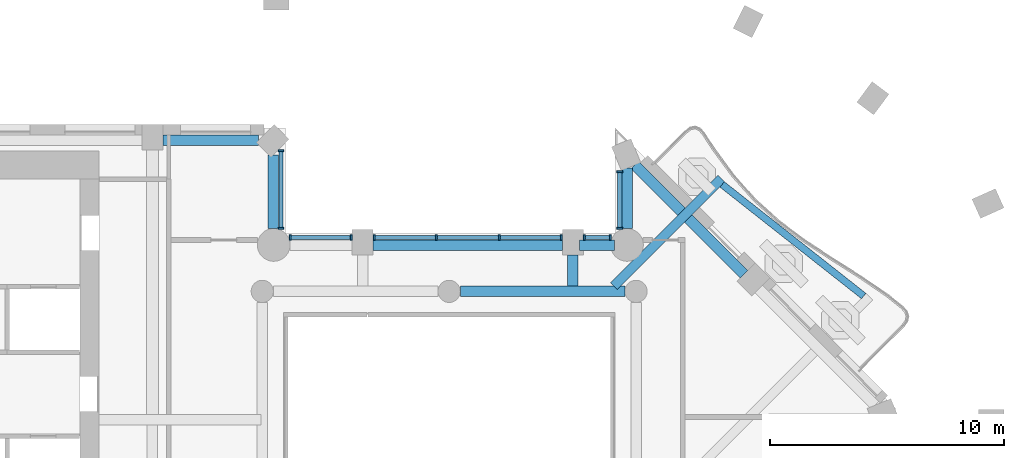
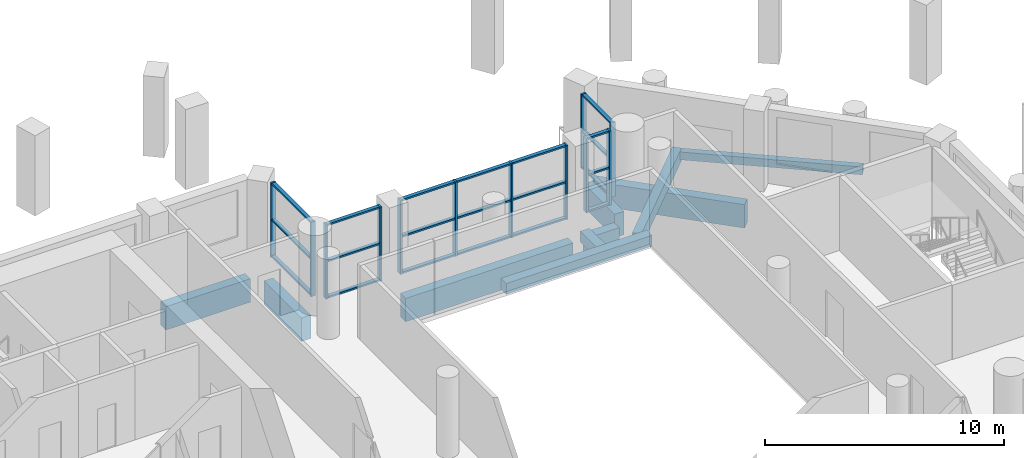
# One storey, part 2 of 16: 33 members, 10 beams, 5 elements without a shape of their own.
"""IFC4 building model written with IfcOpenShell, lengths in metres."""

from ifc_helpers import new_model, si_unit, direction, frame, origin, origin_2d, place, context, subcontext, project, spatial, rectangle, extrude, material, material_profile, profile_set, type_object, element, aggregate, save


model = new_model("IFC4")

# Units and contexts
model_context = context("Model", 3, precision=1e-05, world=origin(), true_north=direction((0.0, 1.0)))
body_context = subcontext(model_context, "Body", "Model", "MODEL_VIEW")
ifc_project = project(units=[si_unit("LENGTHUNIT", "METRE"), si_unit("AREAUNIT", "SQUARE_METRE"), si_unit("VOLUMEUNIT", "CUBIC_METRE"), si_unit("PLANEANGLEUNIT", "RADIAN"), si_unit("MASSUNIT", "GRAM", prefix="KILO")], contexts=[model_context])

# Site, building, storey
site_placement = place(None, origin())
site = spatial("IfcSite", under=ifc_project, at=site_placement, CompositionType="ELEMENT")
building_placement = place(site_placement, origin())
building = spatial("IfcBuilding", under=site, at=building_placement, Name="Cypress Arch Tower", CompositionType="ELEMENT")
storey_placement = place(building_placement, frame((0.0, 0.0, 172.800048828125)))
storey = spatial("IfcBuildingStorey", under=building, at=storey_placement, Name="L37", CompositionType="ELEMENT", Elevation=172.800048828125)

# Beams
ifc_material_1 = material(Name="Concrete C50/60", Category="concrete")
ifc_material_profile_1 = material_profile(ifc_material_1, rectangle(XDim=0.300048828125, YDim=0.39990234375, at=origin_2d()), Name="RC 300x400")
ifc_profile_set_1 = profile_set([ifc_material_profile_1], Name="Concrete C50/60")
beam_type_1 = type_object("IfcBeamType", Name="Balcony edge beam RC 300x400 Concrete C50/60", PredefinedType="BEAM", material=ifc_profile_set_1)
beam_1_placement = place(storey_placement, frame((18.74365234375, 9.80224609375, -0.5), z_axis=(-0.785435727241, 0.6189432271, 0.0), x_axis=(-0.6189432271, -0.785435727241, 0.0)))
element("IfcBeam", 1, at=beam_1_placement, inside=storey, type_object=beam_type_1, Name="Balcony edge beam L37 B05", PredefinedType="BEAM", context=body_context, shape_type="SweptSolid", body=[
    extrude(rectangle(XDim=0.300048828125, YDim=0.39990234375, at=origin_2d()), origin(), (0.0, 0.0, 1.0), 7.714599609375),
])
ifc_material_2 = material(Name="Concrete C50/60", Category="concrete")
ifc_material_profile_2 = material_profile(ifc_material_2, rectangle(XDim=0.39990234375, YDim=0.64990234375, at=origin_2d()), Name="RC 400x650")
ifc_profile_set_2 = profile_set([ifc_material_profile_2], Name="Concrete C50/60")
beam_type_2 = type_object("IfcBeamType", Name="Cantilever beam RC 400x650 Concrete C50/60", PredefinedType="BEAM", material=ifc_profile_set_2)
beam_2_placement = place(storey_placement, frame((8.04931640625, 10.22509765625, -0.625), z_axis=(0.707106781187, 0.707106781187, 0.0), x_axis=(-0.707106781187, 0.707106781187, 0.0)))
element("IfcBeam", 2, at=beam_2_placement, inside=storey, type_object=beam_type_2, Name="Cantilever beam L37 B05 2", PredefinedType="BEAM", context=body_context, shape_type="SweptSolid", body=[
    extrude(rectangle(XDim=0.39990234375, YDim=0.64990234375, at=origin_2d()), origin(), (0.0, 0.0, 1.0), 6.5048828125),
])
ifc_material_3 = material(Name="Concrete C50/60", Category="concrete")
ifc_material_profile_3 = material_profile(ifc_material_3, rectangle(XDim=0.449951171875, YDim=0.550048828125, at=origin_2d()), Name="RC 450x550")
ifc_profile_set_3 = profile_set([ifc_material_profile_3], Name="Concrete C50/60")
beam_type_3 = type_object("IfcBeamType", Name="Floor beam RC 450x550 Concrete C50/60", PredefinedType="BEAM", material=ifc_profile_set_3)
beam_3_placement = place(storey_placement, frame((1.47509765625, 10.0, -0.574951171875), z_axis=(1.0, 0.0, 0.0), x_axis=(0.0, 1.0, 0.0)))
element("IfcBeam", 3, at=beam_3_placement, inside=storey, type_object=beam_type_3, Name="Floor beam L37 RB008", PredefinedType="BEAM", context=body_context, shape_type="SweptSolid", body=[
    extrude(rectangle(XDim=0.449951171875, YDim=0.550048828125, at=origin_2d()), origin(), (0.0, 0.0, 1.0), 7.0498046875),
])
beam_4_placement = place(storey_placement, frame((6.300048828125, 10.22509765625, -0.574951171875), z_axis=(0.0, 1.0, 0.0), x_axis=(-1.0, 0.0, 0.0)))
element("IfcBeam", 4, at=beam_4_placement, inside=storey, type_object=beam_type_3, Name="Floor beam L37 FB017", PredefinedType="BEAM", context=body_context, shape_type="SweptSolid", body=[
    extrude(rectangle(XDim=0.449951171875, YDim=0.550048828125, at=origin_2d()), origin(), (0.0, 0.0, 1.0), 1.324951171875),
])

# Curtain wall, members
ifc_material_4 = material(Name="Anodised aluminium, bronze finish, clear laminated double glazing", Category="aluminium")
curtain_wall_type = type_object("IfcCurtainWallType", Name="Curtain wall CW7 slot glazing", PredefinedType="NOTDEFINED", material=ifc_material_4)
curtain_wall_1_placement = place(storey_placement, origin())
curtain_wall_1 = element("IfcCurtainWall", 5, at=curtain_wall_1_placement, inside=storey, type_object=curtain_wall_type, Name="Curtain wall L37 slot B06.0", PredefinedType="NOTDEFINED")
ifc_material_5 = material(Name="Anodised aluminium, bronze finish", Category="aluminium")
ifc_material_profile_4 = material_profile(ifc_material_5, rectangle(XDim=0.239990234375, YDim=0.0849609375, at=origin_2d()), Name="Mullion 85x240")
ifc_profile_set_4 = profile_set([ifc_material_profile_4], Name="Anodised aluminium, bronze finish")
member_type_1 = type_object("IfcMemberType", Name="Mullion CW7 85x240", PredefinedType="MULLION", material=ifc_profile_set_4)
member_1_placement = place(storey_placement, frame((8.300048828125, 15.12744140625, 0.0), z_axis=(0.0, 0.0, 1.0), x_axis=(1.0, 0.0, 0.0)))
member_1 = element("IfcMember", 6, at=member_1_placement, type_object=member_type_1, Name="CW7 mullion 1", PredefinedType="MULLION", context=body_context, shape_type="SweptSolid", body=[
    extrude(rectangle(XDim=0.239990234375, YDim=0.0849609375, at=origin_2d()), origin(), (0.0, 0.0, 1.0), 3.800048828125),
])
member_2_placement = place(storey_placement, frame((8.300048828125, 12.697021484375, 0.0), z_axis=(0.0, 0.0, 1.0), x_axis=(1.0, 0.0, 0.0)))
member_2 = element("IfcMember", 7, at=member_2_placement, type_object=member_type_1, Name="CW7 mullion 2", PredefinedType="MULLION", context=body_context, shape_type="SweptSolid", body=[
    extrude(rectangle(XDim=0.239990234375, YDim=0.0849609375, at=origin_2d()), origin(), (0.0, 0.0, 1.0), 3.800048828125),
])

curtain_wall_2_placement = place(storey_placement, origin())
curtain_wall_2 = element("IfcCurtainWall", 8, at=curtain_wall_2_placement, inside=storey, type_object=curtain_wall_type, Name="Curtain wall L37 slot B07.0", PredefinedType="NOTDEFINED")
member_3_placement = place(storey_placement, frame((7.903076171875, 12.300048828125, 0.0), z_axis=(0.0, 0.0, 1.0), x_axis=(0.0, -1.0, 0.0)))
member_3 = element("IfcMember", 9, at=member_3_placement, type_object=member_type_1, Name="CW7 mullion 1", PredefinedType="MULLION", context=body_context, shape_type="SweptSolid", body=[
    extrude(rectangle(XDim=0.239990234375, YDim=0.0849609375, at=origin_2d()), origin(), (0.0, 0.0, 1.0), 3.800048828125),
])
member_4_placement = place(storey_placement, frame((6.79248046875, 12.300048828125, 0.0), z_axis=(0.0, 0.0, 1.0), x_axis=(0.0, -1.0, 0.0)))
member_4 = element("IfcMember", 10, at=member_4_placement, type_object=member_type_1, Name="CW7 mullion 2", PredefinedType="MULLION", context=body_context, shape_type="SweptSolid", body=[
    extrude(rectangle(XDim=0.239990234375, YDim=0.0849609375, at=origin_2d()), origin(), (0.0, 0.0, 1.0), 3.800048828125),
])

curtain_wall_3_placement = place(storey_placement, origin())
curtain_wall_3 = element("IfcCurtainWall", 11, at=curtain_wall_3_placement, inside=storey, type_object=curtain_wall_type, Name="Curtain wall L37 slot B07.1", PredefinedType="NOTDEFINED")
member_5_placement = place(storey_placement, frame((5.8076171875, 12.300048828125, 0.0), z_axis=(0.0, 0.0, 1.0), x_axis=(0.0, -1.0, 0.0)))
member_5 = element("IfcMember", 12, at=member_5_placement, type_object=member_type_1, Name="CW7 mullion 1", PredefinedType="MULLION", context=body_context, shape_type="SweptSolid", body=[
    extrude(rectangle(XDim=0.239990234375, YDim=0.0849609375, at=origin_2d()), origin(), (0.0, 0.0, 1.0), 3.800048828125),
])
member_6_placement = place(storey_placement, frame((3.14990234375, 12.300048828125, 0.0), z_axis=(0.0, 0.0, 1.0), x_axis=(0.0, -1.0, 0.0)))
member_6 = element("IfcMember", 13, at=member_6_placement, type_object=member_type_1, Name="CW7 mullion 2", PredefinedType="MULLION", context=body_context, shape_type="SweptSolid", body=[
    extrude(rectangle(XDim=0.239990234375, YDim=0.0849609375, at=origin_2d()), origin(), (0.0, 0.0, 1.0), 3.800048828125),
])
member_7_placement = place(storey_placement, frame((0.449951171875, 12.300048828125, 0.0), z_axis=(0.0, 0.0, 1.0), x_axis=(0.0, -1.0, 0.0)))
member_7 = element("IfcMember", 14, at=member_7_placement, type_object=member_type_1, Name="CW7 mullion 3", PredefinedType="MULLION", context=body_context, shape_type="SweptSolid", body=[
    extrude(rectangle(XDim=0.239990234375, YDim=0.0849609375, at=origin_2d()), origin(), (0.0, 0.0, 1.0), 3.800048828125),
])
member_8_placement = place(storey_placement, frame((-2.20751953125, 12.300048828125, 0.0), z_axis=(0.0, 0.0, 1.0), x_axis=(0.0, -1.0, 0.0)))
member_8 = element("IfcMember", 15, at=member_8_placement, type_object=member_type_1, Name="CW7 mullion 4", PredefinedType="MULLION", context=body_context, shape_type="SweptSolid", body=[
    extrude(rectangle(XDim=0.239990234375, YDim=0.0849609375, at=origin_2d()), origin(), (0.0, 0.0, 1.0), 3.800048828125),
])

curtain_wall_4_placement = place(storey_placement, origin())
curtain_wall_4 = element("IfcCurtainWall", 16, at=curtain_wall_4_placement, inside=storey, type_object=curtain_wall_type, Name="Curtain wall L37 slot B07.2", PredefinedType="NOTDEFINED")
member_9_placement = place(storey_placement, frame((-3.1923828125, 12.300048828125, 0.0), z_axis=(0.0, 0.0, 1.0), x_axis=(0.0, -1.0, 0.0)))
member_9 = element("IfcMember", 17, at=member_9_placement, type_object=member_type_1, Name="CW7 mullion 1", PredefinedType="MULLION", context=body_context, shape_type="SweptSolid", body=[
    extrude(rectangle(XDim=0.239990234375, YDim=0.0849609375, at=origin_2d()), origin(), (0.0, 0.0, 1.0), 3.800048828125),
])
member_10_placement = place(storey_placement, frame((-5.802978515625, 12.300048828125, 0.0), z_axis=(0.0, 0.0, 1.0), x_axis=(0.0, -1.0, 0.0)))
member_10 = element("IfcMember", 18, at=member_10_placement, type_object=member_type_1, Name="CW7 mullion 2", PredefinedType="MULLION", context=body_context, shape_type="SweptSolid", body=[
    extrude(rectangle(XDim=0.239990234375, YDim=0.0849609375, at=origin_2d()), origin(), (0.0, 0.0, 1.0), 3.800048828125),
])

curtain_wall_5_placement = place(storey_placement, origin())
curtain_wall_5 = element("IfcCurtainWall", 19, at=curtain_wall_5_placement, inside=storey, type_object=curtain_wall_type, Name="Curtain wall L37 slot B08.0", PredefinedType="NOTDEFINED")
member_11_placement = place(storey_placement, frame((-6.199951171875, 12.697021484375, 0.0), z_axis=(0.0, 0.0, 1.0), x_axis=(-1.0, 0.0, 0.0)))
member_11 = element("IfcMember", 20, at=member_11_placement, type_object=member_type_1, Name="CW7 mullion 1", PredefinedType="MULLION", context=body_context, shape_type="SweptSolid", body=[
    extrude(rectangle(XDim=0.239990234375, YDim=0.0849609375, at=origin_2d()), origin(), (0.0, 0.0, 1.0), 3.800048828125),
])
member_12_placement = place(storey_placement, frame((-6.199951171875, 16.02099609375, 0.0), z_axis=(0.0, 0.0, 1.0), x_axis=(-1.0, 0.0, 0.0)))
member_12 = element("IfcMember", 21, at=member_12_placement, type_object=member_type_1, Name="CW7 mullion 2", PredefinedType="MULLION", context=body_context, shape_type="SweptSolid", body=[
    extrude(rectangle(XDim=0.239990234375, YDim=0.0849609375, at=origin_2d()), origin(), (0.0, 0.0, 1.0), 3.800048828125),
])

# Beams
ifc_material_6 = material(Name="Concrete C50/60", Category="concrete")
ifc_material_profile_5 = material_profile(ifc_material_6, rectangle(XDim=0.449951171875, YDim=1.199951171875, at=origin_2d()), Name="RC 450x1200")
ifc_profile_set_5 = profile_set([ifc_material_profile_5], Name="Concrete C50/60")
beam_type_4 = type_object("IfcBeamType", Name="Spandrel beam RC 450x1200 Concrete C50/60", PredefinedType="SPANDREL", material=ifc_profile_set_5)
beam_5_placement = place(storey_placement, frame((13.622802734375, 10.73486328125, -1.550048828125), z_axis=(-0.707106781187, 0.707106781187, 0.0), x_axis=(-0.707106781187, -0.707106781187, 0.0)))
element("IfcBeam", 22, at=beam_5_placement, inside=storey, type_object=beam_type_4, Name="Spandrel beam L37 BB05-1", PredefinedType="SPANDREL", context=body_context, shape_type="SweptSolid", body=[
    extrude(rectangle(XDim=0.449951171875, YDim=1.199951171875, at=origin_2d()), origin(), (0.0, 0.0, 1.0), 6.610595703125),
])
beam_6_placement = place(storey_placement, frame((8.625, 15.275146484375, -1.550048828125), z_axis=(0.0, -1.0, 0.0), x_axis=(1.0, 0.0, 0.0)))
element("IfcBeam", 23, at=beam_6_placement, inside=storey, type_object=beam_type_4, Name="Spandrel beam L37 BB06-0", PredefinedType="SPANDREL", context=body_context, shape_type="SweptSolid", body=[
    extrude(rectangle(XDim=0.449951171875, YDim=1.199951171875, at=origin_2d()), origin(), (0.0, 0.0, 1.0), 2.587646484375),
])
beam_7_placement = place(storey_placement, frame((8.081298828125, 11.97509765625, -1.550048828125), z_axis=(-1.0, 0.0, 0.0), x_axis=(0.0, -1.0, 0.0)))
element("IfcBeam", 24, at=beam_7_placement, inside=storey, type_object=beam_type_4, Name="Spandrel beam L37 BB07-0", PredefinedType="SPANDREL", context=body_context, shape_type="SweptSolid", body=[
    extrude(rectangle(XDim=0.449951171875, YDim=1.199951171875, at=origin_2d()), origin(), (0.0, 0.0, 1.0), 1.5),
])
beam_8_placement = place(storey_placement, frame((5.85009765625, 11.97509765625, -1.550048828125), z_axis=(-1.0, 0.0, 0.0), x_axis=(0.0, -1.0, 0.0)))
element("IfcBeam", 25, at=beam_8_placement, inside=storey, type_object=beam_type_4, Name="Spandrel beam L37 BB07-1", PredefinedType="SPANDREL", context=body_context, shape_type="SweptSolid", body=[
    extrude(rectangle(XDim=0.449951171875, YDim=1.199951171875, at=origin_2d()), origin(), (0.0, 0.0, 1.0), 8.10009765625),
])
beam_9_placement = place(storey_placement, frame((-6.52490234375, 12.6875, -1.550048828125), z_axis=(0.0, 1.0, 0.0), x_axis=(-1.0, 0.0, 0.0)))
element("IfcBeam", 26, at=beam_9_placement, inside=storey, type_object=beam_type_4, Name="Spandrel beam L37 BB08-0", PredefinedType="SPANDREL", context=body_context, shape_type="SweptSolid", body=[
    extrude(rectangle(XDim=0.449951171875, YDim=1.199951171875, at=origin_2d()), origin(), (0.0, 0.0, 1.0), 3.151123046875),
])
beam_10_placement = place(storey_placement, frame((-7.161376953125, 16.47509765625, -1.550048828125), z_axis=(-1.0, 0.0, 0.0), x_axis=(0.0, -1.0, 0.0)))
element("IfcBeam", 27, at=beam_10_placement, inside=storey, type_object=beam_type_4, Name="Spandrel beam L37 BB09-0", PredefinedType="SPANDREL", context=body_context, shape_type="SweptSolid", body=[
    extrude(rectangle(XDim=0.449951171875, YDim=1.199951171875, at=origin_2d()), origin(), (0.0, 0.0, 1.0), 4.088623046875),
])

# Member
ifc_material_7 = material(Name="Anodised aluminium, bronze finish", Category="aluminium")
ifc_material_profile_6 = material_profile(ifc_material_7, rectangle(XDim=0.179931640625, YDim=0.0849609375, at=origin_2d()), Name="Transom 85x180")
ifc_profile_set_6 = profile_set([ifc_material_profile_6], Name="Anodised aluminium, bronze finish")
member_type_2 = type_object("IfcMemberType", Name="Transom CW7 85x180", PredefinedType="USERDEFINED", material=ifc_profile_set_6)
member_13_placement = place(storey_placement, frame((8.300048828125, 15.0849609375, 0.04248046875), z_axis=(0.0, -1.0, 0.0), x_axis=(1.0, 0.0, 0.0)))
member_13 = element("IfcMember", 28, at=member_13_placement, type_object=member_type_2, Name="CW7 transom 1.1", ObjectType="TRANSOM", PredefinedType="USERDEFINED", context=body_context, shape_type="SweptSolid", body=[
    extrude(rectangle(XDim=0.179931640625, YDim=0.0849609375, at=origin_2d()), origin(), (0.0, 0.0, 1.0), 2.345458984375),
])

member_14_placement = place(storey_placement, frame((8.300048828125, 15.0849609375, 1.89990234375), z_axis=(0.0, -1.0, 0.0), x_axis=(1.0, 0.0, 0.0)))
member_14 = element("IfcMember", 29, at=member_14_placement, type_object=member_type_2, Name="CW7 transom 1.2", ObjectType="TRANSOM", PredefinedType="USERDEFINED", context=body_context, shape_type="SweptSolid", body=[
    extrude(rectangle(XDim=0.179931640625, YDim=0.0849609375, at=origin_2d()), origin(), (0.0, 0.0, 1.0), 2.345458984375),
])

member_15_placement = place(storey_placement, frame((8.300048828125, 15.0849609375, 3.757568359375), z_axis=(0.0, -1.0, 0.0), x_axis=(1.0, 0.0, 0.0)))
member_15 = element("IfcMember", 30, at=member_15_placement, type_object=member_type_2, Name="CW7 transom 1.3", ObjectType="TRANSOM", PredefinedType="USERDEFINED", context=body_context, shape_type="SweptSolid", body=[
    extrude(rectangle(XDim=0.179931640625, YDim=0.0849609375, at=origin_2d()), origin(), (0.0, 0.0, 1.0), 2.345458984375),
])

aggregate(curtain_wall_1, [member_1, member_2, member_13, member_14, member_15])

member_16_placement = place(storey_placement, frame((7.8603515625, 12.300048828125, 0.04248046875), z_axis=(-1.0, 0.0, 0.0), x_axis=(0.0, -1.0, 0.0)))
member_16 = element("IfcMember", 31, at=member_16_placement, type_object=member_type_2, Name="CW7 transom 1.1", ObjectType="TRANSOM", PredefinedType="USERDEFINED", context=body_context, shape_type="SweptSolid", body=[
    extrude(rectangle(XDim=0.179931640625, YDim=0.0849609375, at=origin_2d()), origin(), (0.0, 0.0, 1.0), 1.025390625),
])

member_17_placement = place(storey_placement, frame((7.8603515625, 12.300048828125, 1.89990234375), z_axis=(-1.0, 0.0, 0.0), x_axis=(0.0, -1.0, 0.0)))
member_17 = element("IfcMember", 32, at=member_17_placement, type_object=member_type_2, Name="CW7 transom 1.2", ObjectType="TRANSOM", PredefinedType="USERDEFINED", context=body_context, shape_type="SweptSolid", body=[
    extrude(rectangle(XDim=0.179931640625, YDim=0.0849609375, at=origin_2d()), origin(), (0.0, 0.0, 1.0), 1.025390625),
])

member_18_placement = place(storey_placement, frame((7.8603515625, 12.300048828125, 3.757568359375), z_axis=(-1.0, 0.0, 0.0), x_axis=(0.0, -1.0, 0.0)))
member_18 = element("IfcMember", 33, at=member_18_placement, type_object=member_type_2, Name="CW7 transom 1.3", ObjectType="TRANSOM", PredefinedType="USERDEFINED", context=body_context, shape_type="SweptSolid", body=[
    extrude(rectangle(XDim=0.179931640625, YDim=0.0849609375, at=origin_2d()), origin(), (0.0, 0.0, 1.0), 1.025390625),
])

aggregate(curtain_wall_2, [member_3, member_4, member_16, member_17, member_18])

member_19_placement = place(storey_placement, frame((5.764892578125, 12.300048828125, 0.04248046875), z_axis=(-1.0, 0.0, 0.0), x_axis=(0.0, -1.0, 0.0)))
member_19 = element("IfcMember", 34, at=member_19_placement, type_object=member_type_2, Name="CW7 transom 1.1", ObjectType="TRANSOM", PredefinedType="USERDEFINED", context=body_context, shape_type="SweptSolid", body=[
    extrude(rectangle(XDim=0.179931640625, YDim=0.0849609375, at=origin_2d()), origin(), (0.0, 0.0, 1.0), 2.572509765625),
])

member_20_placement = place(storey_placement, frame((5.764892578125, 12.300048828125, 1.89990234375), z_axis=(-1.0, 0.0, 0.0), x_axis=(0.0, -1.0, 0.0)))
member_20 = element("IfcMember", 35, at=member_20_placement, type_object=member_type_2, Name="CW7 transom 1.2", ObjectType="TRANSOM", PredefinedType="USERDEFINED", context=body_context, shape_type="SweptSolid", body=[
    extrude(rectangle(XDim=0.179931640625, YDim=0.0849609375, at=origin_2d()), origin(), (0.0, 0.0, 1.0), 2.572509765625),
])

member_21_placement = place(storey_placement, frame((5.764892578125, 12.300048828125, 3.757568359375), z_axis=(-1.0, 0.0, 0.0), x_axis=(0.0, -1.0, 0.0)))
member_21 = element("IfcMember", 36, at=member_21_placement, type_object=member_type_2, Name="CW7 transom 1.3", ObjectType="TRANSOM", PredefinedType="USERDEFINED", context=body_context, shape_type="SweptSolid", body=[
    extrude(rectangle(XDim=0.179931640625, YDim=0.0849609375, at=origin_2d()), origin(), (0.0, 0.0, 1.0), 2.572509765625),
])

member_22_placement = place(storey_placement, frame((3.107421875, 12.300048828125, 0.04248046875), z_axis=(-1.0, 0.0, 0.0), x_axis=(0.0, -1.0, 0.0)))
member_22 = element("IfcMember", 37, at=member_22_placement, type_object=member_type_2, Name="CW7 transom 2.1", ObjectType="TRANSOM", PredefinedType="USERDEFINED", context=body_context, shape_type="SweptSolid", body=[
    extrude(rectangle(XDim=0.179931640625, YDim=0.0849609375, at=origin_2d()), origin(), (0.0, 0.0, 1.0), 2.614990234375),
])

member_23_placement = place(storey_placement, frame((3.107421875, 12.300048828125, 1.89990234375), z_axis=(-1.0, 0.0, 0.0), x_axis=(0.0, -1.0, 0.0)))
member_23 = element("IfcMember", 38, at=member_23_placement, type_object=member_type_2, Name="CW7 transom 2.2", ObjectType="TRANSOM", PredefinedType="USERDEFINED", context=body_context, shape_type="SweptSolid", body=[
    extrude(rectangle(XDim=0.179931640625, YDim=0.0849609375, at=origin_2d()), origin(), (0.0, 0.0, 1.0), 2.614990234375),
])

member_24_placement = place(storey_placement, frame((3.107421875, 12.300048828125, 3.757568359375), z_axis=(-1.0, 0.0, 0.0), x_axis=(0.0, -1.0, 0.0)))
member_24 = element("IfcMember", 39, at=member_24_placement, type_object=member_type_2, Name="CW7 transom 2.3", ObjectType="TRANSOM", PredefinedType="USERDEFINED", context=body_context, shape_type="SweptSolid", body=[
    extrude(rectangle(XDim=0.179931640625, YDim=0.0849609375, at=origin_2d()), origin(), (0.0, 0.0, 1.0), 2.614990234375),
])

member_25_placement = place(storey_placement, frame((0.407470703125, 12.300048828125, 0.04248046875), z_axis=(-1.0, 0.0, 0.0), x_axis=(0.0, -1.0, 0.0)))
member_25 = element("IfcMember", 40, at=member_25_placement, type_object=member_type_2, Name="CW7 transom 3.1", ObjectType="TRANSOM", PredefinedType="USERDEFINED", context=body_context, shape_type="SweptSolid", body=[
    extrude(rectangle(XDim=0.179931640625, YDim=0.0849609375, at=origin_2d()), origin(), (0.0, 0.0, 1.0), 2.572509765625),
])

member_26_placement = place(storey_placement, frame((0.407470703125, 12.300048828125, 1.89990234375), z_axis=(-1.0, 0.0, 0.0), x_axis=(0.0, -1.0, 0.0)))
member_26 = element("IfcMember", 41, at=member_26_placement, type_object=member_type_2, Name="CW7 transom 3.2", ObjectType="TRANSOM", PredefinedType="USERDEFINED", context=body_context, shape_type="SweptSolid", body=[
    extrude(rectangle(XDim=0.179931640625, YDim=0.0849609375, at=origin_2d()), origin(), (0.0, 0.0, 1.0), 2.572509765625),
])

member_27_placement = place(storey_placement, frame((0.407470703125, 12.300048828125, 3.757568359375), z_axis=(-1.0, 0.0, 0.0), x_axis=(0.0, -1.0, 0.0)))
member_27 = element("IfcMember", 42, at=member_27_placement, type_object=member_type_2, Name="CW7 transom 3.3", ObjectType="TRANSOM", PredefinedType="USERDEFINED", context=body_context, shape_type="SweptSolid", body=[
    extrude(rectangle(XDim=0.179931640625, YDim=0.0849609375, at=origin_2d()), origin(), (0.0, 0.0, 1.0), 2.572509765625),
])

aggregate(curtain_wall_3, [member_5, member_6, member_7, member_8, member_19, member_20, member_21, member_22, member_23, member_24, member_25, member_26, member_27])

member_28_placement = place(storey_placement, frame((-3.235107421875, 12.300048828125, 0.04248046875), z_axis=(-1.0, 0.0, 0.0), x_axis=(0.0, -1.0, 0.0)))
member_28 = element("IfcMember", 43, at=member_28_placement, type_object=member_type_2, Name="CW7 transom 1.1", ObjectType="TRANSOM", PredefinedType="USERDEFINED", context=body_context, shape_type="SweptSolid", body=[
    extrude(rectangle(XDim=0.179931640625, YDim=0.0849609375, at=origin_2d()), origin(), (0.0, 0.0, 1.0), 2.525390625),
])

member_29_placement = place(storey_placement, frame((-3.235107421875, 12.300048828125, 1.89990234375), z_axis=(-1.0, 0.0, 0.0), x_axis=(0.0, -1.0, 0.0)))
member_29 = element("IfcMember", 44, at=member_29_placement, type_object=member_type_2, Name="CW7 transom 1.2", ObjectType="TRANSOM", PredefinedType="USERDEFINED", context=body_context, shape_type="SweptSolid", body=[
    extrude(rectangle(XDim=0.179931640625, YDim=0.0849609375, at=origin_2d()), origin(), (0.0, 0.0, 1.0), 2.525390625),
])

member_30_placement = place(storey_placement, frame((-3.235107421875, 12.300048828125, 3.757568359375), z_axis=(-1.0, 0.0, 0.0), x_axis=(0.0, -1.0, 0.0)))
member_30 = element("IfcMember", 45, at=member_30_placement, type_object=member_type_2, Name="CW7 transom 1.3", ObjectType="TRANSOM", PredefinedType="USERDEFINED", context=body_context, shape_type="SweptSolid", body=[
    extrude(rectangle(XDim=0.179931640625, YDim=0.0849609375, at=origin_2d()), origin(), (0.0, 0.0, 1.0), 2.525390625),
])

aggregate(curtain_wall_4, [member_9, member_10, member_28, member_29, member_30])

member_31_placement = place(storey_placement, frame((-6.199951171875, 12.739501953125, 0.04248046875), z_axis=(0.0, 1.0, 0.0), x_axis=(-1.0, 0.0, 0.0)))
member_31 = element("IfcMember", 46, at=member_31_placement, type_object=member_type_2, Name="CW7 transom 1.1", ObjectType="TRANSOM", PredefinedType="USERDEFINED", context=body_context, shape_type="SweptSolid", body=[
    extrude(rectangle(XDim=0.179931640625, YDim=0.0849609375, at=origin_2d()), origin(), (0.0, 0.0, 1.0), 3.239013671875),
])

member_32_placement = place(storey_placement, frame((-6.199951171875, 12.739501953125, 1.89990234375), z_axis=(0.0, 1.0, 0.0), x_axis=(-1.0, 0.0, 0.0)))
member_32 = element("IfcMember", 47, at=member_32_placement, type_object=member_type_2, Name="CW7 transom 1.2", ObjectType="TRANSOM", PredefinedType="USERDEFINED", context=body_context, shape_type="SweptSolid", body=[
    extrude(rectangle(XDim=0.179931640625, YDim=0.0849609375, at=origin_2d()), origin(), (0.0, 0.0, 1.0), 3.239013671875),
])

member_33_placement = place(storey_placement, frame((-6.199951171875, 12.739501953125, 3.757568359375), z_axis=(0.0, 1.0, 0.0), x_axis=(-1.0, 0.0, 0.0)))
member_33 = element("IfcMember", 48, at=member_33_placement, type_object=member_type_2, Name="CW7 transom 1.3", ObjectType="TRANSOM", PredefinedType="USERDEFINED", context=body_context, shape_type="SweptSolid", body=[
    extrude(rectangle(XDim=0.179931640625, YDim=0.0849609375, at=origin_2d()), origin(), (0.0, 0.0, 1.0), 3.239013671875),
])

aggregate(curtain_wall_5, [member_11, member_12, member_31, member_32, member_33])

save(model, "model.ifc")
